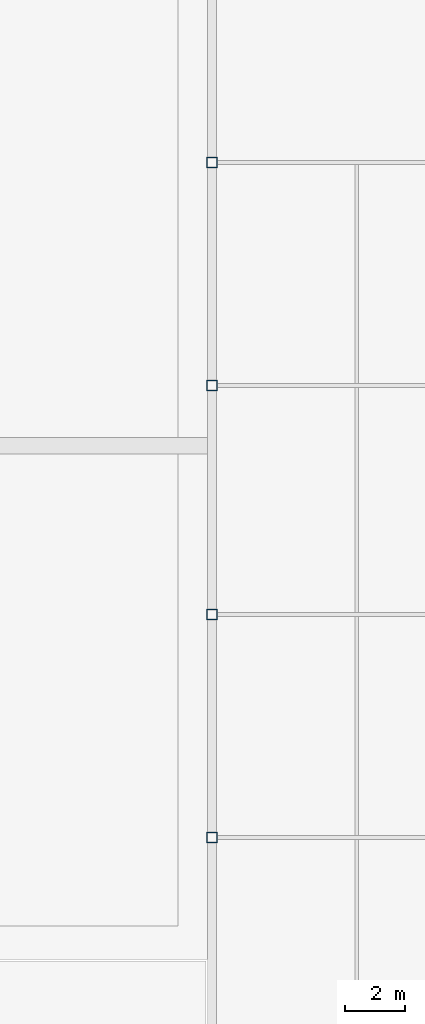
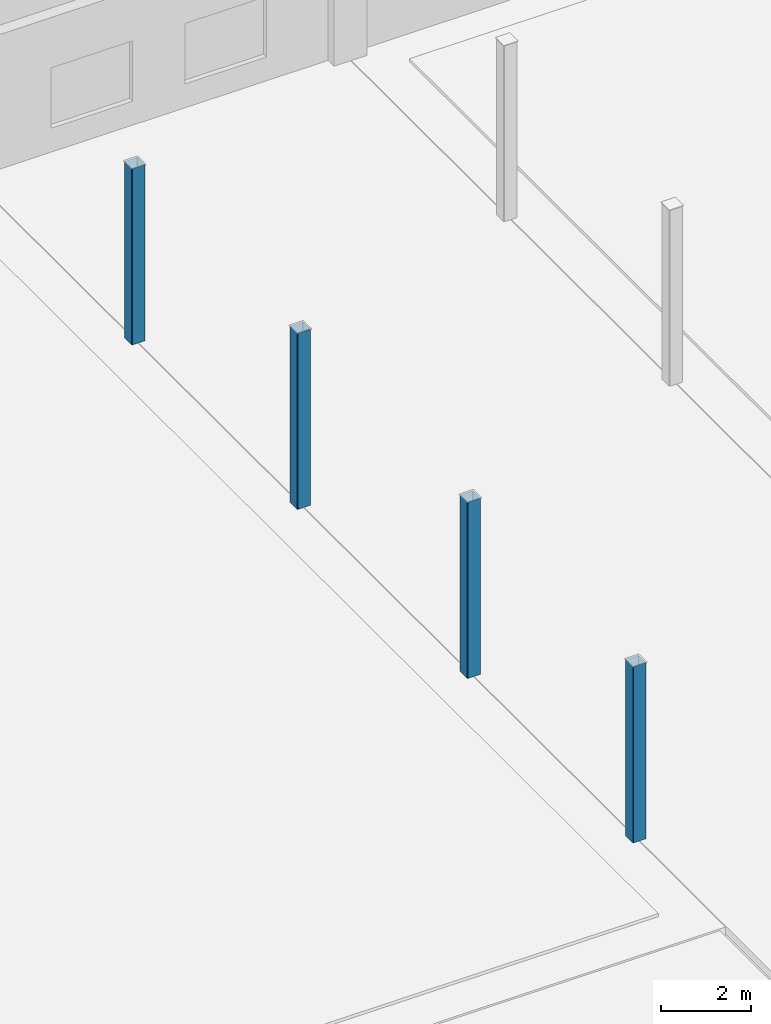
# One storey, part 13 of 97: 4 columns.
"""IFC4 building model written with IfcOpenShell, lengths in metres."""

from ifc_helpers import new_model, si_unit, direction, frame, origin, origin_2d, place, context, subcontext, project, spatial, hollow_rectangle, extrude, material, material_profile, profile_set, type_object, element, save


model = new_model("IFC4")

# Units and contexts
model_context = context("Model", 3, precision=1e-05, world=origin(), true_north=direction((0.0, 1.0)))
body_context = subcontext(model_context, "Body", "Model", "MODEL_VIEW")
ifc_project = project(units=[si_unit("LENGTHUNIT", "METRE"), si_unit("AREAUNIT", "SQUARE_METRE"), si_unit("VOLUMEUNIT", "CUBIC_METRE"), si_unit("PLANEANGLEUNIT", "RADIAN"), si_unit("MASSUNIT", "GRAM", prefix="KILO")], contexts=[model_context])

# Site, building, storey
site_placement = place(None, origin())
site = spatial("IfcSite", under=ifc_project, at=site_placement, CompositionType="ELEMENT")
building_placement = place(site_placement, origin())
building = spatial("IfcBuilding", under=site, at=building_placement, Name="Kisaragi Civic Commons", CompositionType="ELEMENT")
storey_placement = place(building_placement, origin())
storey = spatial("IfcBuildingStorey", under=building, at=storey_placement, Name="L00", CompositionType="ELEMENT", Elevation=0.0)

# Columns
ifc_material = material(Name="Steel BCR295", Category="steel")
ifc_material_profile = material_profile(ifc_material, hollow_rectangle(XDim=0.35009765625, YDim=0.35009765625, WallThickness=0.011962890625, InnerFilletRadius=0.011962890625, OuterFilletRadius=0.02392578125, at=origin_2d()), Name="BCR-350x350x12", Category="steel")
ifc_profile_set = profile_set([ifc_material_profile], Name="Steel BCR295")
column_type = type_object("IfcColumnType", Name="C-13", PredefinedType="COLUMN", material=ifc_profile_set)
for number, where, z_axis, x_axis, name in (
    (1, (123.60009765625, 66.199951171875, 0.0), (0.0, 0.0, 1.0), (1.0, 0.0, 0.0), "L00 column C-13 (123.6,66.2)"),
    (2, (123.60009765625, 73.60009765625, 0.0), (0.0, 0.0, 1.0), (1.0, 0.0, 0.0), "L00 column C-13 (123.6,73.6)"),
    (3, (123.60009765625, 81.199951171875, 0.0), (0.0, 0.0, 1.0), (1.0, 0.0, 0.0), "L00 column C-13 (123.6,81.2)"),
    (4, (123.60009765625, 88.60009765625, 0.0), (0.0, 0.0, 1.0), (1.0, 0.0, 0.0), "L00 column C-13 (123.6,88.6)"),
):
    element("IfcColumn", number, at=place(storey_placement, frame(where, z_axis=z_axis, x_axis=x_axis)), inside=storey, type_object=column_type, Name=name, PredefinedType="COLUMN", context=body_context, shape_type="SweptSolid", body=[
        extrude(hollow_rectangle(XDim=0.35009765625, YDim=0.35009765625, WallThickness=0.011962890625, InnerFilletRadius=0.011962890625, OuterFilletRadius=0.02392578125, at=origin_2d()), origin(), (0.0, 0.0, 1.0), 4.800048828125),
    ])

save(model, "model.ifc")
